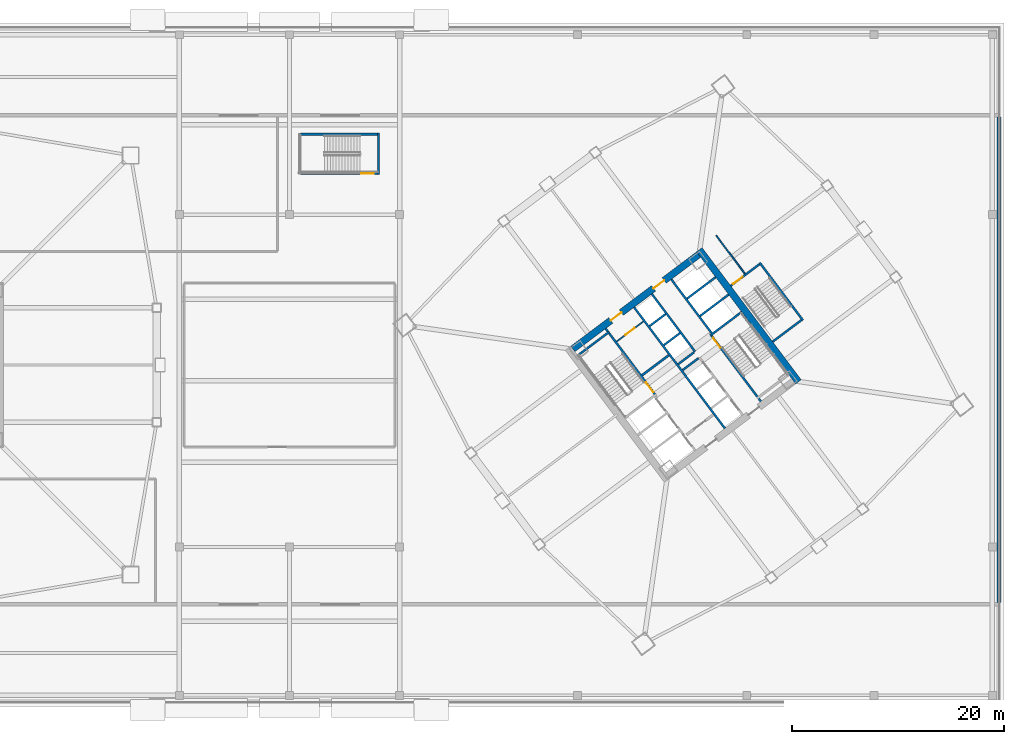
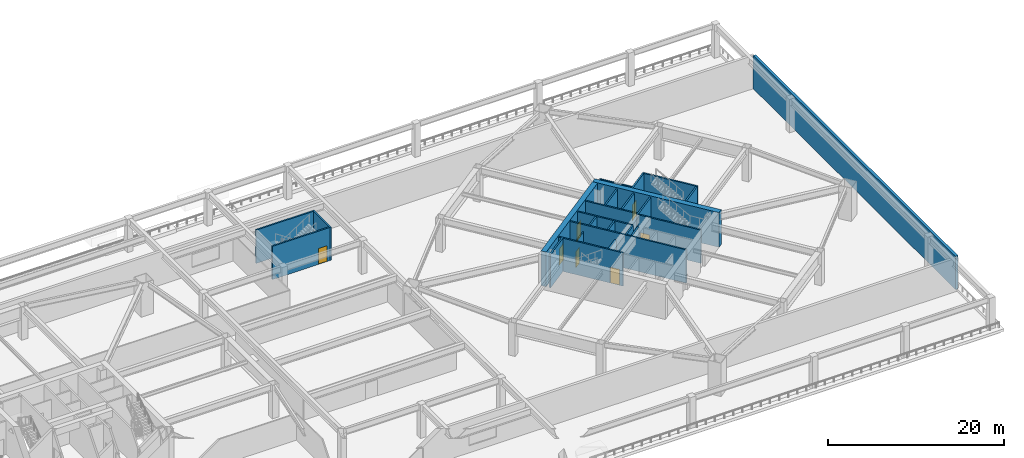
# One storey, part 11 of 21: 25 walls, 7 doors, 7 openings.
"""IFC4 building model written with IfcOpenShell, lengths in metres."""

from ifc_helpers import new_model, si_unit, direction, frame, frame_2d, origin, place, context, subcontext, project, spatial, rectangle, extrude, material, layer, layer_set, type_object, element, fill, save


model = new_model("IFC4")

# Units and contexts
model_context = context("Model", 3, precision=1e-05, world=origin(), true_north=direction((0.0, 1.0)))
body_context = subcontext(model_context, "Body", "Model", "MODEL_VIEW")
ifc_project = project(units=[si_unit("LENGTHUNIT", "METRE"), si_unit("AREAUNIT", "SQUARE_METRE"), si_unit("VOLUMEUNIT", "CUBIC_METRE"), si_unit("PLANEANGLEUNIT", "RADIAN"), si_unit("MASSUNIT", "GRAM", prefix="KILO")], contexts=[model_context])

# Site, building, storey
site_placement = place(None, origin())
site = spatial("IfcSite", under=ifc_project, at=site_placement, CompositionType="ELEMENT")
building_placement = place(site_placement, origin())
building = spatial("IfcBuilding", under=site, at=building_placement, Name="Tashvorn Skyway Center", CompositionType="ELEMENT")
storey_placement = place(building_placement, frame((0.0, 0.0, 19.800048828125)))
storey = spatial("IfcBuildingStorey", under=building, at=storey_placement, Name="L04", CompositionType="ELEMENT", Elevation=19.800048828125)

# Wall
ifc_material_1 = material(Name="Concrete C60/75", Category="concrete")
ifc_layer_1 = layer(ifc_material_1, 0.64990234375)
ifc_layer_set_1 = layer_set([ifc_layer_1], Name="Concrete C60/75")
wall_type_1 = type_object("IfcWallType", Name="WALL-CORE-650", PredefinedType="SHEAR", material=ifc_layer_set_1)
wall_1_placement = place(storey_placement, frame((115.52392578125, 42.89306640625, 0.0), z_axis=(0.0, 0.0, 1.0), x_axis=(0.600005007985, -0.799996243986, 0.0)))
element("IfcWall", 1, at=wall_1_placement, inside=storey, type_object=wall_type_1, Name="Tower 2 L04 East Core Shear Wall", PredefinedType="SHEAR", context=body_context, shape_type="SweptSolid", body=[
    extrude(rectangle(XDim=15.60009765625, YDim=0.64990234375, at=frame_2d((7.800048828125, 0.0))), origin(), (0.0, 0.0, 1.0), 4.800048828125),
])

# Wall, openings, doors
wall_2_placement = place(storey_placement, frame((103.571044921875, 33.52197265625, 0.0), z_axis=(0.0, 0.0, 1.0), x_axis=(0.799998028465, 0.600002628705, 0.0)))
wall_2 = element("IfcWall", 2, at=wall_2_placement, inside=storey, type_object=wall_type_1, Name="Tower 2 L04 North Core Shear Wall", PredefinedType="SHEAR", context=body_context, shape_type="SweptSolid", body=[
    extrude(rectangle(XDim=14.85986328125, YDim=0.64990234375, at=frame_2d((7.429931640625, 0.0))), origin(), (0.0, 0.0, 1.0), 4.800048828125),
])
opening_1_placement = place(wall_2_placement, frame((4.47998046875, 0.0, 0.0)))
opening_1 = element("IfcOpeningElement", 3, at=opening_1_placement, cuts=wall_2, Name="Opening D-FFL-1250", PredefinedType="OPENING", context=body_context, shape_type="SweptSolid", body=[
    extrude(rectangle(XDim=1.25, YDim=2.25, at=frame_2d((0.625, 1.125))), frame((0.0, 0.3349609375, 0.0), z_axis=(0.0, -1.0, 0.0), x_axis=(1.0, 0.0, 0.0)), (0.0, 0.0, 1.0), 0.669921875),
])
opening_2_placement = place(wall_2_placement, frame((9.530029296875, 0.0, 0.0)))
opening_2 = element("IfcOpeningElement", 4, at=opening_2_placement, cuts=wall_2, Name="Opening D-FFL-1250", PredefinedType="OPENING", context=body_context, shape_type="SweptSolid", body=[
    extrude(rectangle(XDim=1.25, YDim=2.25, at=frame_2d((0.625, 1.125))), frame((0.0, 0.3349609375, 0.0), z_axis=(0.0, -1.0, 0.0), x_axis=(1.0, 0.0, 0.0)), (0.0, 0.0, 1.0), 0.669921875),
])
ifc_material_2 = material(Name="Hollow galvanized steel fire door assembly", Category="steel")
door_type_1 = type_object("IfcDoorType", Name="DOOR-FFL-1250", OperationType="NOTDEFINED", PredefinedType="DOOR", material=ifc_material_2)
door_1_placement = place(opening_1_placement, origin())
door_1 = element("IfcDoor", 5, at=door_1_placement, inside=storey, type_object=door_type_1, Name="Tower 2 L04 Core North Service Lobby Door", OperationType="SINGLE_SWING_LEFT", OverallHeight=2.25, OverallWidth=1.25, PredefinedType="DOOR", context=body_context, shape_type="SweptSolid", body=[
    extrude(rectangle(XDim=1.25, YDim=2.25, at=frame_2d((0.625, 1.125))), frame((0.0, 0.02490234375, 0.0), z_axis=(0.0, -1.0, 0.0), x_axis=(1.0, 0.0, 0.0)), (0.0, 0.0, 1.0), 0.050048828125),
])
fill(opening_1, door_1)
door_2_placement = place(opening_2_placement, origin())
door_2 = element("IfcDoor", 6, at=door_2_placement, inside=storey, type_object=door_type_1, Name="Tower 2 L04 Core North Lift Lobby Door", OperationType="SINGLE_SWING_RIGHT", OverallHeight=2.25, OverallWidth=1.25, PredefinedType="DOOR", context=body_context, shape_type="SweptSolid", body=[
    extrude(rectangle(XDim=1.25, YDim=2.25, at=frame_2d((0.625, 1.125))), frame((0.0, 0.02490234375, 0.0), z_axis=(0.0, -1.0, 0.0), x_axis=(1.0, 0.0, 0.0)), (0.0, 0.0, 1.0), 0.050048828125),
])
fill(opening_2, door_2)

# Walls
ifc_material_3 = material(Name="Precast concrete C40/50", Category="concrete")
ifc_layer_2 = layer(ifc_material_3, 0.35009765625)
ifc_layer_set_2 = layer_set([ifc_layer_2], Name="Precast concrete C40/50")
wall_type_2 = type_object("IfcWallType", Name="WALL-EXT-350", PredefinedType="SOLIDWALL", material=ifc_layer_set_2)
wall_3_placement = place(storey_placement, frame((143.824951171875, 55.425048828125, 0.0), z_axis=(0.0, 0.0, 1.0), x_axis=(0.0, -1.0, 0.0)))
element("IfcWall", 7, at=wall_3_placement, inside=storey, type_object=wall_type_2, Name="L04 East Postmodern Facade Wall", PredefinedType="SOLIDWALL", context=body_context, shape_type="SweptSolid", body=[
    extrude(rectangle(XDim=45.85009765625, YDim=0.35009765625, at=frame_2d((22.925048828125, 0.0))), origin(), (0.0, 0.0, 1.0), 4.599853515625),
])
ifc_material_4 = material(Name="Concrete C40/50", Category="concrete")
ifc_layer_3 = layer(ifc_material_4, 0.219970703125)
ifc_layer_set_3 = layer_set([ifc_layer_3], Name="Concrete C40/50")
wall_type_3 = type_object("IfcWallType", Name="WALL-FFL-220", PredefinedType="SOLIDWALL", material=ifc_layer_set_3)
wall_4_placement = place(storey_placement, frame((110.10400390625, 31.028076171875, 0.0), z_axis=(0.0, 0.0, 1.0), x_axis=(0.800018601094, 0.59997519774, 0.0)))
element("IfcWall", 8, at=wall_4_placement, inside=storey, type_object=wall_type_3, Name="Tower 2 L04 Firefighting Lobby North Wall", PredefinedType="SOLIDWALL", context=body_context, shape_type="SweptSolid", body=[
    extrude(rectangle(XDim=3.14990234375, YDim=0.219970703125, at=frame_2d((1.574951171875, 0.0))), origin(), (0.0, 0.0, 1.0), 3.64306640625),
])
ifc_material_5 = material(Name="Gypsum board on cold-formed steel stud framing", Category="steel")
ifc_layer_4 = layer(ifc_material_5, 0.135009765625)
ifc_layer_set_4 = layer_set([ifc_layer_4], Name="Gypsum board on cold-formed steel stud framing")
wall_type_4 = type_object("IfcWallType", Name="WALL-PART-135", PredefinedType="PARTITIONING", material=ifc_layer_set_4)
wall_5_placement = place(storey_placement, frame((119.823974609375, 40.617919921875, 0.0), z_axis=(0.0, 0.0, 1.0), x_axis=(-0.59999135767, 0.800006481675, 0.0)))
element("IfcWall", 9, at=wall_5_placement, inside=storey, type_object=wall_type_4, Name="Tower 2 L04 Stair 3 Access Corridor Wall", PredefinedType="PARTITIONING", context=body_context, shape_type="SweptSolid", body=[
    extrude(rectangle(XDim=4.52001953125, YDim=0.135009765625, at=frame_2d((2.260009765625, 0.0))), origin(), (0.0, 0.0, 1.0), 3.64306640625),
])

# Wall, opening, door
ifc_layer_5 = layer(ifc_material_5, 0.135009765625)
ifc_layer_set_5 = layer_set([ifc_layer_5], Name="Gypsum board on cold-formed steel stud framing")
wall_type_5 = type_object("IfcWallType", Name="WALL-RATED-135", PredefinedType="PARTITIONING", material=ifc_layer_set_5)
wall_6_placement = place(storey_placement, frame((107.7099609375, 34.219970703125, 0.0), z_axis=(0.0, 0.0, 1.0), x_axis=(0.799981399002, 0.60002480053, 0.0)))
wall_6 = element("IfcWall", 10, at=wall_6_placement, inside=storey, type_object=wall_type_5, Name="Tower 2 L04 Core Service Lobby Wall", PredefinedType="PARTITIONING", context=body_context, shape_type="SweptSolid", body=[
    extrude(rectangle(XDim=3.150146484375, YDim=0.135009765625, at=frame_2d((1.5751953125, 0.0))), origin(), (0.0, 0.0, 1.0), 3.64306640625),
])
opening_3_placement = place(wall_6_placement, frame((1.050048828125, 0.0, 0.0)))
opening_3 = element("IfcOpeningElement", 11, at=opening_3_placement, cuts=wall_6, Name="Opening D-RT-1050", PredefinedType="OPENING", context=body_context, shape_type="SweptSolid", body=[
    extrude(rectangle(XDim=1.050048828125, YDim=2.199951171875, at=frame_2d((0.52490234375, 1.10009765625))), frame((0.0, 0.077392578125, 0.0), z_axis=(0.0, -1.0, 0.0), x_axis=(1.0, 0.0, 0.0)), (0.0, 0.0, 1.0), 0.155029296875),
])
door_type_2 = type_object("IfcDoorType", Name="DOOR-RATED-1050", OperationType="NOTDEFINED", PredefinedType="DOOR", material=ifc_material_2)
door_3_placement = place(opening_3_placement, origin())
door_3 = element("IfcDoor", 12, at=door_3_placement, inside=storey, type_object=door_type_2, Name="Tower 2 L04 Core Accessible WC Door", OperationType="SINGLE_SWING_LEFT", OverallHeight=2.199951171875, OverallWidth=1.050048828125, PredefinedType="DOOR", context=body_context, shape_type="SweptSolid", body=[
    extrude(rectangle(XDim=1.050048828125, YDim=2.199951171875, at=frame_2d((0.52490234375, 1.10009765625))), frame((0.0, 0.02490234375, 0.0), z_axis=(0.0, -1.0, 0.0), x_axis=(1.0, 0.0, 0.0)), (0.0, 0.0, 1.0), 0.050048828125),
])
fill(opening_3, door_3)

# Walls
ifc_layer_6 = layer(ifc_material_4, 0.199951171875)
ifc_layer_set_6 = layer_set([ifc_layer_6], Name="Concrete C40/50")
wall_type_6 = type_object("IfcWallType", Name="WALL-SHAFT-200", PredefinedType="SOLIDWALL", material=ifc_layer_set_6)
for number, where, z_axis, x_axis, name in (
    (13, (115.590087890625, 36.6298828125, 0.0), (0.0, 0.0, 1.0), (0.799973995579, 0.600034670996, 0.0), "Tower 2 L04 High-Rise Shaft Divider"),
    (14, (114.360107421875, 38.27001953125, 0.0), (0.0, 0.0, 1.0), (0.799973995579, 0.600034670996, 0.0), "Tower 2 L04 High-Rise Shaft Divider"),
):
    element("IfcWall", number, at=place(storey_placement, frame(where, z_axis=z_axis, x_axis=x_axis)), inside=storey, type_object=wall_type_6, Name=name, PredefinedType="SOLIDWALL", context=body_context, shape_type="SweptSolid", body=[
        extrude(rectangle(XDim=3.3798828125, YDim=0.199951171875, at=frame_2d((1.68994140625, 0.0))), origin(), (0.0, 0.0, 1.0), 4.599853515625),
    ])
wall_7_placement = place(storey_placement, frame((113.946044921875, 31.52197265625, 0.0), z_axis=(0.0, 0.0, 1.0), x_axis=(0.8, 0.6, 0.0)))
element("IfcWall", 15, at=wall_7_placement, inside=storey, type_object=wall_type_6, Name="Tower 2 L04 Low-Rise Shaft Divider", PredefinedType="SOLIDWALL", context=body_context, shape_type="SweptSolid", body=[
    extrude(rectangle(XDim=1.8798828125, YDim=0.199951171875, at=frame_2d((0.93994140625, 0.0))), origin(), (0.0, 0.0, 1.0), 4.599853515625),
])
wall_8_placement = place(storey_placement, frame((115.110107421875, 33.27001953125, 0.0), z_axis=(0.0, 0.0, 1.0), x_axis=(-0.600011488909, 0.79999138319, 0.0)))
element("IfcWall", 16, at=wall_8_placement, inside=storey, type_object=wall_type_6, Name="Tower 2 L04 Mid-Rise Core Wall", PredefinedType="SOLIDWALL", context=body_context, shape_type="SweptSolid", body=[
    extrude(rectangle(XDim=6.800048828125, YDim=0.199951171875, at=frame_2d((3.39990234375, 0.0))), origin(), (0.0, 0.0, 1.0), 4.599853515625),
])
wall_9_placement = place(storey_placement, frame((113.52587890625, 32.08203125, 0.0), z_axis=(0.0, 0.0, 1.0), x_axis=(0.800046745961, 0.599937666993, 0.0)))
element("IfcWall", 17, at=wall_9_placement, inside=storey, type_object=wall_type_6, Name="Tower 2 L04 Mid-Rise Shaft Divider", PredefinedType="SOLIDWALL", context=body_context, shape_type="SweptSolid", body=[
    extrude(rectangle(XDim=1.880126953125, YDim=0.199951171875, at=frame_2d((0.93994140625, 0.0))), origin(), (0.0, 0.0, 1.0), 4.599853515625),
])
wall_10_placement = place(storey_placement, frame((112.176025390625, 33.882080078125, 0.0), z_axis=(0.0, 0.0, 1.0), x_axis=(0.8, 0.6, 0.0)))
element("IfcWall", 18, at=wall_10_placement, inside=storey, type_object=wall_type_6, Name="Tower 2 L04 Mid-Rise Shaft Divider", PredefinedType="SOLIDWALL", context=body_context, shape_type="SweptSolid", body=[
    extrude(rectangle(XDim=1.8798828125, YDim=0.199951171875, at=frame_2d((0.93994140625, 0.0))), origin(), (0.0, 0.0, 1.0), 4.599853515625),
])
wall_11_placement = place(storey_placement, frame((110.825927734375, 35.681884765625, 0.0), z_axis=(0.0, 0.0, 1.0), x_axis=(0.799984418148, 0.600020775241, 0.0)))
element("IfcWall", 19, at=wall_11_placement, inside=storey, type_object=wall_type_6, Name="Tower 2 L04 Mid-Rise Shaft Divider", PredefinedType="SOLIDWALL", context=body_context, shape_type="SweptSolid", body=[
    extrude(rectangle(XDim=1.880126953125, YDim=0.199951171875, at=frame_2d((0.93994140625, 0.0))), origin(), (0.0, 0.0, 1.0), 4.599853515625),
])

# Wall, opening, door
ifc_layer_7 = layer(ifc_material_4, 0.199951171875)
ifc_layer_set_7 = layer_set([ifc_layer_7], Name="Concrete C40/50")
wall_type_7 = type_object("IfcWallType", Name="WALL-STSHF-200", PredefinedType="SHEAR", material=ifc_layer_set_7)
wall_12_placement = place(storey_placement, frame((111.43994140625, 29.080078125, 0.0), z_axis=(0.0, 0.0, 1.0), x_axis=(-0.600009827119, 0.799992629566, 0.0)))
wall_12 = element("IfcWall", 20, at=wall_12_placement, inside=storey, type_object=wall_type_7, Name="Tower 2 L04 Stair 1 Enclosure Wall", PredefinedType="SHEAR", context=body_context, shape_type="SweptSolid", body=[
    extrude(rectangle(XDim=7.949951171875, YDim=0.199951171875, at=frame_2d((3.97509765625, 0.0))), origin(), (0.0, 0.0, 1.0), 4.599853515625),
])
opening_4_placement = place(wall_12_placement, frame((0.449951171875, 0.0, 0.0)))
opening_4 = element("IfcOpeningElement", 21, at=opening_4_placement, cuts=wall_12, Name="Opening D-ST-1150", PredefinedType="OPENING", context=body_context, shape_type="SweptSolid", body=[
    extrude(rectangle(XDim=1.14990234375, YDim=2.199951171875, at=frame_2d((0.574951171875, 1.10009765625))), frame((0.0, 0.10986328125, 0.0), z_axis=(0.0, -1.0, 0.0), x_axis=(1.0, 0.0, 0.0)), (0.0, 0.0, 1.0), 0.219970703125),
])
door_type_3 = type_object("IfcDoorType", Name="DOOR-STAIR-1150", OperationType="NOTDEFINED", PredefinedType="DOOR", material=ifc_material_2)
door_4_placement = place(opening_4_placement, origin())
door_4 = element("IfcDoor", 22, at=door_4_placement, inside=storey, type_object=door_type_3, Name="Tower 2 L04 Exit Stair 1 Door", OperationType="SINGLE_SWING_RIGHT", OverallHeight=2.199951171875, OverallWidth=1.14990234375, PredefinedType="DOOR", context=body_context, shape_type="SweptSolid", body=[
    extrude(rectangle(XDim=1.14990234375, YDim=2.199951171875, at=frame_2d((0.574951171875, 1.10009765625))), frame((0.0, 0.02490234375, 0.0), z_axis=(0.0, -1.0, 0.0), x_axis=(1.0, 0.0, 0.0)), (0.0, 0.0, 1.0), 0.050048828125),
])
fill(opening_4, door_4)

# Wall
wall_13_placement = place(storey_placement, frame((104.035888671875, 32.902099609375, 0.0), z_axis=(0.0, 0.0, 1.0), x_axis=(0.800039270442, 0.59994763584, 0.0)))
element("IfcWall", 23, at=wall_13_placement, inside=storey, type_object=wall_type_7, Name="Tower 2 L04 Stair 1 North Wall", PredefinedType="SHEAR", context=body_context, shape_type="SweptSolid", body=[
    extrude(rectangle(XDim=3.72998046875, YDim=0.199951171875, at=frame_2d((1.864990234375, 0.0))), origin(), (0.0, 0.0, 1.0), 4.599853515625),
])

# Wall, opening, door
wall_14_placement = place(storey_placement, frame((116.56005859375, 34.919921875, 0.0), z_axis=(0.0, 0.0, 1.0), x_axis=(0.600009827119, -0.799992629566, 0.0)))
wall_14 = element("IfcWall", 24, at=wall_14_placement, inside=storey, type_object=wall_type_7, Name="Tower 2 L04 Stair 2 Enclosure Wall", PredefinedType="SHEAR", context=body_context, shape_type="SweptSolid", body=[
    extrude(rectangle(XDim=7.949951171875, YDim=0.199951171875, at=frame_2d((3.97509765625, 0.0))), origin(), (0.0, 0.0, 1.0), 4.599853515625),
])
opening_5_placement = place(wall_14_placement, frame((0.449951171875, 0.0, 0.0)))
opening_5 = element("IfcOpeningElement", 25, at=opening_5_placement, cuts=wall_14, Name="Opening D-ST-1150", PredefinedType="OPENING", context=body_context, shape_type="SweptSolid", body=[
    extrude(rectangle(XDim=1.14990234375, YDim=2.199951171875, at=frame_2d((0.574951171875, 1.10009765625))), frame((0.0, 0.10986328125, 0.0), z_axis=(0.0, -1.0, 0.0), x_axis=(1.0, 0.0, 0.0)), (0.0, 0.0, 1.0), 0.219970703125),
])
door_5_placement = place(opening_5_placement, origin())
door_5 = element("IfcDoor", 26, at=door_5_placement, inside=storey, type_object=door_type_3, Name="Tower 2 L04 Exit Stair 2 Door", OperationType="SINGLE_SWING_RIGHT", OverallHeight=2.199951171875, OverallWidth=1.14990234375, PredefinedType="DOOR", context=body_context, shape_type="SweptSolid", body=[
    extrude(rectangle(XDim=1.14990234375, YDim=2.199951171875, at=frame_2d((0.574951171875, 1.10009765625))), frame((0.0, 0.02490234375, 0.0), z_axis=(0.0, -1.0, 0.0), x_axis=(1.0, 0.0, 0.0)), (0.0, 0.0, 1.0), 0.050048828125),
])
fill(opening_5, door_5)

# Walls
wall_15_placement = place(storey_placement, frame((116.5400390625, 34.780029296875, 0.0), z_axis=(0.0, 0.0, 1.0), x_axis=(0.799984290658, 0.600020945218, 0.0)))
element("IfcWall", 27, at=wall_15_placement, inside=storey, type_object=wall_type_7, Name="Tower 2 L04 Stair 2 North Wall", PredefinedType="SHEAR", context=body_context, shape_type="SweptSolid", body=[
    extrude(rectangle(XDim=3.72998046875, YDim=0.199951171875, at=frame_2d((1.864990234375, 0.0))), origin(), (0.0, 0.0, 1.0), 4.599853515625),
])
wall_16_placement = place(storey_placement, frame((117.93798828125, 26.01611328125, 0.0), z_axis=(0.0, 0.0, 1.0), x_axis=(-0.600005463273, 0.799995902516, 0.0)))
element("IfcWall", 28, at=wall_16_placement, inside=storey, type_object=wall_type_7, Name="Tower 2 L04 Firefighting Lobby East Smoke Barrier", PredefinedType="SHEAR", context=body_context, shape_type="SweptSolid", body=[
    extrude(rectangle(XDim=14.300048828125, YDim=0.199951171875, at=frame_2d((7.14990234375, 0.0))), origin(), (0.0, 0.0, 1.0), 4.599853515625),
])
wall_17_placement = place(storey_placement, frame((112.8701171875, 40.090087890625, 0.0), z_axis=(0.0, 0.0, 1.0), x_axis=(0.599975393228, -0.800018454488, 0.0)))
element("IfcWall", 29, at=wall_17_placement, inside=storey, type_object=wall_type_7, Name="Tower 2 L04 High-Rise Lift Shaft Front Wall", PredefinedType="SHEAR", context=body_context, shape_type="SweptSolid", body=[
    extrude(rectangle(XDim=6.349853515625, YDim=0.199951171875, at=frame_2d((3.1748046875, 0.0))), origin(), (0.0, 0.0, 1.0), 4.599853515625),
])
wall_18_placement = place(storey_placement, frame((125.303955078125, 36.22802734375, 0.0), z_axis=(0.0, 0.0, 1.0), x_axis=(-0.59998851072, 0.800008616831, 0.0)))
element("IfcWall", 30, at=wall_18_placement, inside=storey, type_object=wall_type_7, Name="Tower 2 L04 Stair 3 Outer Wall", PredefinedType="SHEAR", context=body_context, shape_type="SweptSolid", body=[
    extrude(rectangle(XDim=6.7998046875, YDim=0.199951171875, at=frame_2d((3.39990234375, 0.0))), origin(), (0.0, 0.0, 1.0), 4.599853515625),
])

# Wall, opening, door
wall_19_placement = place(storey_placement, frame((121.2041015625, 41.528076171875, 0.0), z_axis=(0.0, 0.0, 1.0), x_axis=(-0.800017232136, -0.599977023131, 0.0)))
wall_19 = element("IfcWall", 31, at=wall_19_placement, inside=storey, type_object=wall_type_7, Name="Tower 2 L04 Stair 3 Enclosure Wall", PredefinedType="SHEAR", context=body_context, shape_type="SweptSolid", body=[
    extrude(rectangle(XDim=3.400146484375, YDim=0.199951171875, at=frame_2d((1.7001953125, 0.0))), origin(), (0.0, 0.0, 1.0), 4.599853515625),
])
opening_6_placement = place(wall_19_placement, frame((1.97509765625, 0.0, 0.0)))
opening_6 = element("IfcOpeningElement", 32, at=opening_6_placement, cuts=wall_19, Name="Opening D-ST-1150", PredefinedType="OPENING", context=body_context, shape_type="SweptSolid", body=[
    extrude(rectangle(XDim=1.14990234375, YDim=2.199951171875, at=frame_2d((0.574951171875, 1.10009765625))), frame((0.0, 0.10986328125, 0.0), z_axis=(0.0, -1.0, 0.0), x_axis=(1.0, 0.0, 0.0)), (0.0, 0.0, 1.0), 0.219970703125),
])
door_6_placement = place(opening_6_placement, origin())
door_6 = element("IfcDoor", 33, at=door_6_placement, inside=storey, type_object=door_type_3, Name="Tower 2 L04 Exit Stair 3 Door", OperationType="SINGLE_SWING_RIGHT", OverallHeight=2.199951171875, OverallWidth=1.14990234375, PredefinedType="DOOR", context=body_context, shape_type="SweptSolid", body=[
    extrude(rectangle(XDim=1.14990234375, YDim=2.199951171875, at=frame_2d((0.574951171875, 1.10009765625))), frame((0.0, 0.02490234375, 0.0), z_axis=(0.0, -1.0, 0.0), x_axis=(1.0, 0.0, 0.0)), (0.0, 0.0, 1.0), 0.050048828125),
])
fill(opening_6, door_6)

# Wall
wall_20_placement = place(storey_placement, frame((122.444091796875, 34.2080078125, 0.0), z_axis=(0.0, 0.0, 1.0), x_axis=(0.79999138319, 0.600011488909, 0.0)))
element("IfcWall", 34, at=wall_20_placement, inside=storey, type_object=wall_type_7, Name="Tower 2 L04 Stair 3 South Wall", PredefinedType="SHEAR", context=body_context, shape_type="SweptSolid", body=[
    extrude(rectangle(XDim=3.39990234375, YDim=0.199951171875, at=frame_2d((1.699951171875, 0.0))), origin(), (0.0, 0.0, 1.0), 4.599853515625),
])

# Wall, opening, door
wall_21_placement = place(storey_placement, frame((77.60009765625, 50.10009765625, 0.0), z_axis=(0.0, 0.0, 1.0), x_axis=(1.0, 0.0, 0.0)))
wall_21 = element("IfcWall", 35, at=wall_21_placement, inside=storey, type_object=wall_type_7, Name="L04 Podium Stair 2 South Wall", PredefinedType="SHEAR", context=body_context, shape_type="SweptSolid", body=[
    extrude(rectangle(XDim=7.699951171875, YDim=0.199951171875, at=frame_2d((3.85009765625, 0.0))), origin(), (0.0, 0.0, 1.0), 4.599853515625),
])
opening_7_placement = place(wall_21_placement, frame((6.0, 0.0, 0.0)))
opening_7 = element("IfcOpeningElement", 36, at=opening_7_placement, cuts=wall_21, Name="Opening D-ST-1150", PredefinedType="OPENING", context=body_context, shape_type="SweptSolid", body=[
    extrude(rectangle(XDim=1.14990234375, YDim=2.199951171875, at=frame_2d((0.574951171875, 1.10009765625))), frame((0.0, 0.10986328125, 0.0), z_axis=(0.0, -1.0, 0.0), x_axis=(1.0, 0.0, 0.0)), (0.0, 0.0, 1.0), 0.219970703125),
])
door_7_placement = place(opening_7_placement, origin())
door_7 = element("IfcDoor", 37, at=door_7_placement, inside=storey, type_object=door_type_3, Name="L04 Podium Stair 2 Door", OperationType="SINGLE_SWING_RIGHT", OverallHeight=2.199951171875, OverallWidth=1.14990234375, PredefinedType="DOOR", context=body_context, shape_type="SweptSolid", body=[
    extrude(rectangle(XDim=1.14990234375, YDim=2.199951171875, at=frame_2d((0.574951171875, 1.10009765625))), frame((0.0, 0.02490234375, 0.0), z_axis=(0.0, -1.0, 0.0), x_axis=(1.0, 0.0, 0.0)), (0.0, 0.0, 1.0), 0.050048828125),
])
fill(opening_7, door_7)

# Walls
wall_22_placement = place(storey_placement, frame((77.60009765625, 53.800048828125, 0.0), z_axis=(0.0, 0.0, 1.0), x_axis=(1.0, 0.0, 0.0)))
element("IfcWall", 38, at=wall_22_placement, inside=storey, type_object=wall_type_7, Name="L04 Podium Stair 2 North Wall", PredefinedType="SHEAR", context=body_context, shape_type="SweptSolid", body=[
    extrude(rectangle(XDim=7.699951171875, YDim=0.199951171875, at=frame_2d((3.85009765625, 0.0))), origin(), (0.0, 0.0, 1.0), 4.599853515625),
])
wall_23_placement = place(storey_placement, frame((85.199951171875, 50.0, 0.0), z_axis=(0.0, 0.0, 1.0), x_axis=(0.0, 1.0, 0.0)))
element("IfcWall", 39, at=wall_23_placement, inside=storey, type_object=wall_type_7, Name="L04 Podium Stair 2 East Wall", PredefinedType="SHEAR", context=body_context, shape_type="SweptSolid", body=[
    extrude(rectangle(XDim=3.89990234375, YDim=0.199951171875, at=frame_2d((1.949951171875, 0.0))), origin(), (0.0, 0.0, 1.0), 4.599853515625),
])

save(model, "model.ifc")
